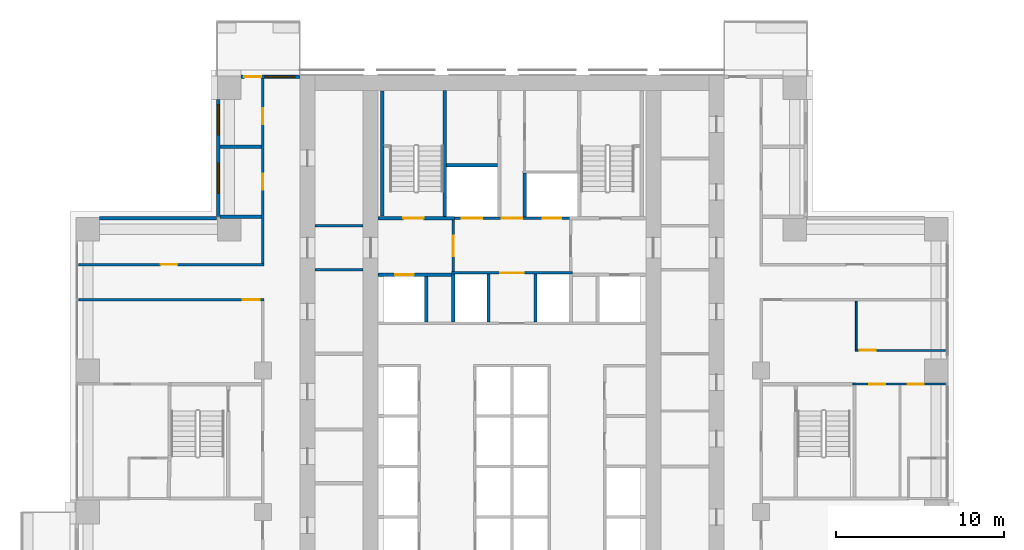
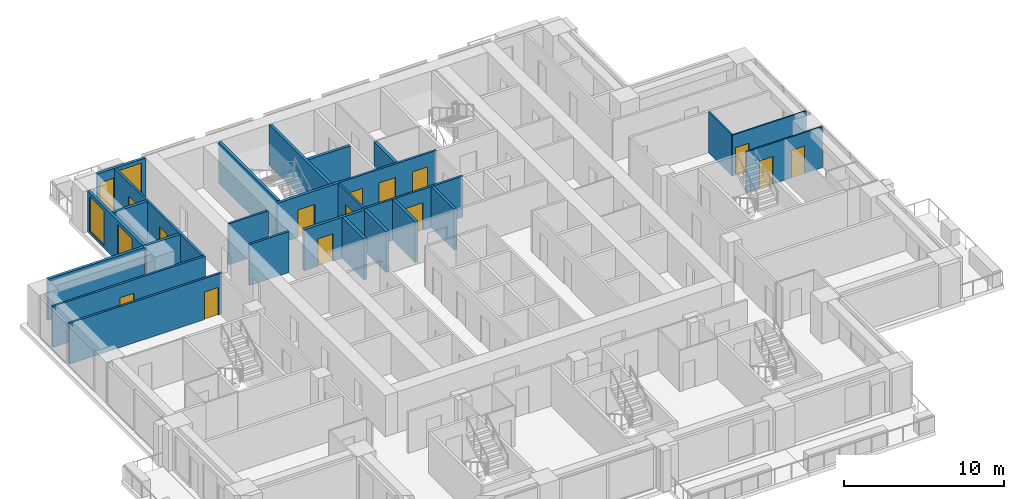
# One storey, part 12 of 17: 26 walls, 15 doors, 3 windows, 18 openings.
"""IFC4 building model written with IfcOpenShell, lengths in metres."""

from ifc_helpers import new_model, si_unit, direction, frame, frame_2d, origin, place, context, subcontext, project, spatial, rectangle, extrude, material, layer, layer_set, type_object, element, fill, save


model = new_model("IFC4")

# Units and contexts
model_context = context("Model", 3, precision=1e-05, world=origin(), true_north=direction((0.0, 1.0)))
body_context = subcontext(model_context, "Body", "Model", "MODEL_VIEW")
ifc_project = project(units=[si_unit("LENGTHUNIT", "METRE"), si_unit("AREAUNIT", "SQUARE_METRE"), si_unit("VOLUMEUNIT", "CUBIC_METRE"), si_unit("PLANEANGLEUNIT", "RADIAN"), si_unit("MASSUNIT", "GRAM", prefix="KILO")], contexts=[model_context])

# Site, building, storey
site_placement = place(None, origin())
site = spatial("IfcSite", under=ifc_project, at=site_placement, CompositionType="ELEMENT")
building_placement = place(site_placement, origin())
building = spatial("IfcBuilding", under=site, at=building_placement, Name="Vermilion Ogive Tower", CompositionType="ELEMENT")
storey_placement = place(building_placement, frame((0.0, 0.0, 65.550048828125)))
storey = spatial("IfcBuildingStorey", under=building, at=storey_placement, Name="L15", CompositionType="ELEMENT", Elevation=65.550048828125)

# Wall, openings, doors
ifc_material_1 = material(Name="Gypsum board partition on steel studs", Category="steel")
ifc_layer_1 = layer(ifc_material_1, 0.10009765625)
ifc_layer_set_1 = layer_set([ifc_layer_1], Name="Partition 100 inner")
wall_type_1 = type_object("IfcWallType", Name="Partition 100 inner", PredefinedType="PARTITIONING", material=ifc_layer_set_1)
wall_1_placement = place(storey_placement, frame((20.25, 3.39990234375, 0.0), z_axis=(0.0, 0.0, 1.0), x_axis=(1.0, 0.0, 0.0)))
wall_1 = element("IfcWall", 1, at=wall_1_placement, inside=storey, type_object=wall_type_1, Name="L15-W-W026", PredefinedType="PARTITIONING", context=body_context, shape_type="SweptSolid", body=[
    extrude(rectangle(XDim=5.5, YDim=0.10009765625, at=frame_2d((2.75, 0.0))), origin(), (0.0, 0.0, 1.0), 3.1298828125),
])
opening_1_placement = place(wall_1_placement, frame((3.27490234375, 0.0, 0.0)))
opening_1 = element("IfcOpeningElement", 2, at=opening_1_placement, cuts=wall_1, Name="Opening D1G5014", PredefinedType="OPENING", context=body_context, shape_type="SweptSolid", body=[
    extrude(rectangle(XDim=0.949951171875, YDim=2.10009765625, at=frame_2d((0.47509765625, 1.050048828125))), frame((0.0, 0.06005859375, 0.0), z_axis=(0.0, -1.0, 0.0), x_axis=(1.0, 0.0, 0.0)), (0.0, 0.0, 1.0), 0.1201171875),
])
opening_2_placement = place(wall_1_placement, frame((0.97509765625, 0.0, 0.0)))
opening_2 = element("IfcOpeningElement", 3, at=opening_2_placement, cuts=wall_1, Name="Opening D1G5017", PredefinedType="OPENING", context=body_context, shape_type="SweptSolid", body=[
    extrude(rectangle(XDim=0.949951171875, YDim=2.10009765625, at=frame_2d((0.47509765625, 1.050048828125))), frame((0.0, 0.06005859375, 0.0), z_axis=(0.0, -1.0, 0.0), x_axis=(1.0, 0.0, 0.0)), (0.0, 0.0, 1.0), 0.1201171875),
])
ifc_material_2 = material(Name="Timber door leaf", Category="wood")
door_type_1 = type_object("IfcDoorType", Name="Inner door 950 x 2100 FD30", OperationType="SINGLE_SWING_LEFT", PredefinedType="DOOR", material=ifc_material_2)
door_1_placement = place(opening_1_placement, origin())
door_1 = element("IfcDoor", 4, at=door_1_placement, inside=storey, type_object=door_type_1, Name="L15-D-D014", OperationType="SINGLE_SWING_RIGHT", OverallHeight=2.10009765625, OverallWidth=0.949951171875, PredefinedType="DOOR", context=body_context, shape_type="SweptSolid", body=[
    extrude(rectangle(XDim=0.949951171875, YDim=2.10009765625, at=frame_2d((0.47509765625, 1.050048828125))), frame((0.0, 0.02490234375, 0.0), z_axis=(0.0, -1.0, 0.0), x_axis=(1.0, 0.0, 0.0)), (0.0, 0.0, 1.0), 0.050048828125),
])
fill(opening_1, door_1)
door_2_placement = place(opening_2_placement, origin())
door_2 = element("IfcDoor", 5, at=door_2_placement, inside=storey, type_object=door_type_1, Name="L15-D-D017", OperationType="SINGLE_SWING_RIGHT", OverallHeight=2.10009765625, OverallWidth=0.949951171875, PredefinedType="DOOR", context=body_context, shape_type="SweptSolid", body=[
    extrude(rectangle(XDim=0.949951171875, YDim=2.10009765625, at=frame_2d((0.47509765625, 1.050048828125))), frame((0.0, 0.02490234375, 0.0), z_axis=(0.0, -1.0, 0.0), x_axis=(1.0, 0.0, 0.0)), (0.0, 0.0, 1.0), 0.050048828125),
])
fill(opening_2, door_2)

# Wall, opening, door
wall_2_placement = place(storey_placement, frame((20.39990234375, 5.39990234375, 0.0), z_axis=(0.0, 0.0, 1.0), x_axis=(1.0, 0.0, 0.0)))
wall_2 = element("IfcWall", 6, at=wall_2_placement, inside=storey, type_object=wall_type_1, Name="L15-W-W027", PredefinedType="PARTITIONING", context=body_context, shape_type="SweptSolid", body=[
    extrude(rectangle(XDim=5.35009765625, YDim=0.10009765625, at=frame_2d((2.675048828125, 0.0))), origin(), (0.0, 0.0, 1.0), 3.1298828125),
])
opening_3_placement = place(wall_2_placement, frame((0.25, 0.0, 0.0)))
opening_3 = element("IfcOpeningElement", 7, at=opening_3_placement, cuts=wall_2, Name="Opening D1G5015", PredefinedType="OPENING", context=body_context, shape_type="SweptSolid", body=[
    extrude(rectangle(XDim=0.949951171875, YDim=2.10009765625, at=frame_2d((0.47509765625, 1.050048828125))), frame((0.0, 0.06005859375, 0.0), z_axis=(0.0, -1.0, 0.0), x_axis=(1.0, 0.0, 0.0)), (0.0, 0.0, 1.0), 0.1201171875),
])
door_3_placement = place(opening_3_placement, origin())
door_3 = element("IfcDoor", 8, at=door_3_placement, inside=storey, type_object=door_type_1, Name="L15-D-D015", OperationType="SINGLE_SWING_LEFT", OverallHeight=2.10009765625, OverallWidth=0.949951171875, PredefinedType="DOOR", context=body_context, shape_type="SweptSolid", body=[
    extrude(rectangle(XDim=0.949951171875, YDim=2.10009765625, at=frame_2d((0.47509765625, 1.050048828125))), frame((0.0, 0.02490234375, 0.0), z_axis=(0.0, -1.0, 0.0), x_axis=(1.0, 0.0, 0.0)), (0.0, 0.0, 1.0), 0.050048828125),
])
fill(opening_3, door_3)

# Wall
wall_3_placement = place(storey_placement, frame((20.449951171875, 5.449951171875, 0.0), z_axis=(0.0, 0.0, 1.0), x_axis=(0.0, 1.0, 0.0)))
element("IfcWall", 9, at=wall_3_placement, inside=storey, type_object=wall_type_1, Name="L15-W-W058", PredefinedType="PARTITIONING", context=body_context, shape_type="SweptSolid", body=[
    extrude(rectangle(XDim=2.875, YDim=0.10009765625, at=frame_2d((1.4375, 0.0))), origin(), (0.0, 0.0, 1.0), 3.1298828125),
])

# Wall, opening, door
ifc_material_3 = material(Name="Gypsum board partition on steel studs", Category="steel")
ifc_layer_2 = layer(ifc_material_3, 0.14990234375)
ifc_layer_set_2 = layer_set([ifc_layer_2], Name="Partition 150 corridor")
wall_type_2 = type_object("IfcWallType", Name="Partition 150 corridor", PredefinedType="PARTITIONING", material=ifc_layer_set_2)
wall_4_placement = place(storey_placement, frame((-25.75, 8.39990234375, 0.0), z_axis=(0.0, 0.0, 1.0), x_axis=(1.0, 0.0, 0.0)))
wall_4 = element("IfcWall", 10, at=wall_4_placement, inside=storey, type_object=wall_type_2, Name="L15-W-W028", PredefinedType="PARTITIONING", context=body_context, shape_type="SweptSolid", body=[
    extrude(rectangle(XDim=11.02490234375, YDim=0.14990234375, at=frame_2d((5.512451171875, 0.0))), origin(), (0.0, 0.0, 1.0), 3.1298828125),
])
opening_4_placement = place(wall_4_placement, frame((9.75, 0.0, 0.0)))
opening_4 = element("IfcOpeningElement", 11, at=opening_4_placement, cuts=wall_4, Name="Opening D1G5003", PredefinedType="OPENING", context=body_context, shape_type="SweptSolid", body=[
    extrude(rectangle(XDim=1.0, YDim=2.10009765625, at=frame_2d((0.5, 1.050048828125))), frame((0.0, 0.0849609375, 0.0), z_axis=(0.0, -1.0, 0.0), x_axis=(1.0, 0.0, 0.0)), (0.0, 0.0, 1.0), 0.169921875),
])
ifc_material_4 = material(Name="Timber door leaf", Category="wood")
door_type_2 = type_object("IfcDoorType", Name="Unit door 1000 x 2100 FD30S", OperationType="SINGLE_SWING_LEFT", PredefinedType="DOOR", material=ifc_material_4)
door_4_placement = place(opening_4_placement, origin())
door_4 = element("IfcDoor", 12, at=door_4_placement, inside=storey, type_object=door_type_2, Name="L15-D-D003", OperationType="SINGLE_SWING_RIGHT", OverallHeight=2.10009765625, OverallWidth=1.0, PredefinedType="DOOR", context=body_context, shape_type="SweptSolid", body=[
    extrude(rectangle(XDim=1.0, YDim=2.10009765625, at=frame_2d((0.5, 1.050048828125))), frame((0.0, 0.02490234375, 0.0), z_axis=(0.0, -1.0, 0.0), x_axis=(1.0, 0.0, 0.0)), (0.0, 0.0, 1.0), 0.050048828125),
])
fill(opening_4, door_4)

wall_5_placement = place(storey_placement, frame((-25.75, 10.5, 0.0), z_axis=(0.0, 0.0, 1.0), x_axis=(1.0, 0.0, 0.0)))
wall_5 = element("IfcWall", 13, at=wall_5_placement, inside=storey, type_object=wall_type_2, Name="L15-W-W030", PredefinedType="PARTITIONING", context=body_context, shape_type="SweptSolid", body=[
    extrude(rectangle(XDim=11.02490234375, YDim=0.14990234375, at=frame_2d((5.512451171875, 0.0))), origin(), (0.0, 0.0, 1.0), 3.1298828125),
])
opening_5_placement = place(wall_5_placement, frame((4.875, 0.0, 0.0)))
opening_5 = element("IfcOpeningElement", 14, at=opening_5_placement, cuts=wall_5, Name="Opening D1G5033", PredefinedType="OPENING", context=body_context, shape_type="SweptSolid", body=[
    extrude(rectangle(XDim=1.0, YDim=2.10009765625, at=frame_2d((0.5, 1.050048828125))), frame((0.0, 0.0849609375, 0.0), z_axis=(0.0, -1.0, 0.0), x_axis=(1.0, 0.0, 0.0)), (0.0, 0.0, 1.0), 0.169921875),
])
door_5_placement = place(opening_5_placement, origin())
door_5 = element("IfcDoor", 15, at=door_5_placement, inside=storey, type_object=door_type_2, Name="L15-D-D033", OperationType="SINGLE_SWING_RIGHT", OverallHeight=2.10009765625, OverallWidth=1.0, PredefinedType="DOOR", context=body_context, shape_type="SweptSolid", body=[
    extrude(rectangle(XDim=1.0, YDim=2.10009765625, at=frame_2d((0.5, 1.050048828125))), frame((0.0, 0.02490234375, 0.0), z_axis=(0.0, -1.0, 0.0), x_axis=(1.0, 0.0, 0.0)), (0.0, 0.0, 1.0), 0.050048828125),
])
fill(opening_5, door_5)

# Wall, openings, doors
wall_6_placement = place(storey_placement, frame((-14.800048828125, 10.574951171875, 0.0), z_axis=(0.0, 0.0, 1.0), x_axis=(0.0, 1.0, 0.0)))
wall_6 = element("IfcWall", 16, at=wall_6_placement, inside=storey, type_object=wall_type_2, Name="L15-W-W043", PredefinedType="PARTITIONING", context=body_context, shape_type="SweptSolid", body=[
    extrude(rectangle(XDim=10.97509765625, YDim=0.14990234375, at=frame_2d((5.487548828125, 0.0))), origin(), (0.0, 0.0, 1.0), 3.1298828125),
])
opening_6_placement = place(wall_6_placement, frame((4.375, 0.0, 0.0)))
opening_6 = element("IfcOpeningElement", 17, at=opening_6_placement, cuts=wall_6, Name="Opening D1G5006", PredefinedType="OPENING", context=body_context, shape_type="SweptSolid", body=[
    extrude(rectangle(XDim=0.949951171875, YDim=2.10009765625, at=frame_2d((0.47509765625, 1.050048828125))), frame((0.0, 0.0849609375, 0.0), z_axis=(0.0, -1.0, 0.0), x_axis=(1.0, 0.0, 0.0)), (0.0, 0.0, 1.0), 0.169921875),
])
opening_7_placement = place(wall_6_placement, frame((8.275146484375, 0.0, 0.0)))
opening_7 = element("IfcOpeningElement", 18, at=opening_7_placement, cuts=wall_6, Name="Opening D1G5007", PredefinedType="OPENING", context=body_context, shape_type="SweptSolid", body=[
    extrude(rectangle(XDim=0.949951171875, YDim=2.10009765625, at=frame_2d((0.47509765625, 1.050048828125))), frame((0.0, 0.0849609375, 0.0), z_axis=(0.0, -1.0, 0.0), x_axis=(1.0, 0.0, 0.0)), (0.0, 0.0, 1.0), 0.169921875),
])
ifc_material_5 = material(Name="Timber door leaf", Category="wood")
door_type_3 = type_object("IfcDoorType", Name="Unit door 950 x 2100 FD30S", OperationType="SINGLE_SWING_LEFT", PredefinedType="DOOR", material=ifc_material_5)
door_6_placement = place(opening_6_placement, origin())
door_6 = element("IfcDoor", 19, at=door_6_placement, inside=storey, type_object=door_type_3, Name="L15-D-D006", OperationType="SINGLE_SWING_LEFT", OverallHeight=2.10009765625, OverallWidth=0.949951171875, PredefinedType="DOOR", context=body_context, shape_type="SweptSolid", body=[
    extrude(rectangle(XDim=0.949951171875, YDim=2.10009765625, at=frame_2d((0.47509765625, 1.050048828125))), frame((0.0, 0.02490234375, 0.0), z_axis=(0.0, -1.0, 0.0), x_axis=(1.0, 0.0, 0.0)), (0.0, 0.0, 1.0), 0.050048828125),
])
fill(opening_6, door_6)
door_7_placement = place(opening_7_placement, origin())
door_7 = element("IfcDoor", 20, at=door_7_placement, inside=storey, type_object=door_type_3, Name="L15-D-D007", OperationType="SINGLE_SWING_RIGHT", OverallHeight=2.10009765625, OverallWidth=0.949951171875, PredefinedType="DOOR", context=body_context, shape_type="SweptSolid", body=[
    extrude(rectangle(XDim=0.949951171875, YDim=2.10009765625, at=frame_2d((0.47509765625, 1.050048828125))), frame((0.0, 0.02490234375, 0.0), z_axis=(0.0, -1.0, 0.0), x_axis=(1.0, 0.0, 0.0)), (0.0, 0.0, 1.0), 0.050048828125),
])
fill(opening_7, door_7)

# Wall, opening, door
wall_7_placement = place(storey_placement, frame((-3.60009765625, 10.0, 0.0), z_axis=(0.0, 0.0, 1.0), x_axis=(1.0, 0.0, 0.0)))
wall_7 = element("IfcWall", 21, at=wall_7_placement, inside=storey, type_object=wall_type_2, Name="L15-CK-W-W016", PredefinedType="PARTITIONING", context=body_context, shape_type="SweptSolid", body=[
    extrude(rectangle(XDim=7.2001953125, YDim=0.14990234375, at=frame_2d((3.60009765625, 0.0))), origin(), (0.0, 0.0, 1.0), 3.1298828125),
])
opening_8_placement = place(wall_7_placement, frame((2.900146484375, 0.0, 0.0)))
opening_8 = element("IfcOpeningElement", 22, at=opening_8_placement, cuts=wall_7, Name="Opening DAA094", PredefinedType="OPENING", context=body_context, shape_type="SweptSolid", body=[
    extrude(rectangle(XDim=1.39990234375, YDim=2.10009765625, at=frame_2d((0.699951171875, 1.050048828125))), frame((0.0, 0.0849609375, 0.0), z_axis=(0.0, -1.0, 0.0), x_axis=(1.0, 0.0, 0.0)), (0.0, 0.0, 1.0), 0.169921875),
])
ifc_material_6 = material(Name="Timber door leaf", Category="wood")
door_type_4 = type_object("IfcDoorType", Name="Lobby door 1400 x 2100 FD60S", OperationType="SINGLE_SWING_LEFT", PredefinedType="DOOR", material=ifc_material_6)
door_8_placement = place(opening_8_placement, origin())
door_8 = element("IfcDoor", 23, at=door_8_placement, inside=storey, type_object=door_type_4, Name="L15-CK-D-D016", OperationType="SINGLE_SWING_RIGHT", OverallHeight=2.10009765625, OverallWidth=1.39990234375, PredefinedType="DOOR", context=body_context, shape_type="SweptSolid", body=[
    extrude(rectangle(XDim=1.39990234375, YDim=2.10009765625, at=frame_2d((0.699951171875, 1.050048828125))), frame((0.0, 0.02490234375, 0.0), z_axis=(0.0, -1.0, 0.0), x_axis=(1.0, 0.0, 0.0)), (0.0, 0.0, 1.0), 0.050048828125),
])
fill(opening_8, door_8)

# Wall, openings, doors
wall_8_placement = place(storey_placement, frame((-3.574951171875, 13.25, 0.0), z_axis=(0.0, 0.0, 1.0), x_axis=(1.0, 0.0, 0.0)))
wall_8 = element("IfcWall", 24, at=wall_8_placement, inside=storey, type_object=wall_type_2, Name="L15-CK-W-W018", PredefinedType="PARTITIONING", context=body_context, shape_type="SweptSolid", body=[
    extrude(rectangle(XDim=7.14990234375, YDim=0.14990234375, at=frame_2d((3.574951171875, 0.0))), origin(), (0.0, 0.0, 1.0), 3.1298828125),
])
opening_9_placement = place(wall_8_placement, frame((0.599853515625, 0.0, 0.0)))
opening_9 = element("IfcOpeningElement", 25, at=opening_9_placement, cuts=wall_8, Name="Opening DAA113", PredefinedType="OPENING", context=body_context, shape_type="SweptSolid", body=[
    extrude(rectangle(XDim=1.199951171875, YDim=2.10009765625, at=frame_2d((0.60009765625, 1.050048828125))), frame((0.0, 0.0849609375, 0.0), z_axis=(0.0, -1.0, 0.0), x_axis=(1.0, 0.0, 0.0)), (0.0, 0.0, 1.0), 0.169921875),
])
opening_10_placement = place(wall_8_placement, frame((5.39990234375, 0.0, 0.0)))
opening_10 = element("IfcOpeningElement", 26, at=opening_10_placement, cuts=wall_8, Name="Opening DAA104", PredefinedType="OPENING", context=body_context, shape_type="SweptSolid", body=[
    extrude(rectangle(XDim=1.10009765625, YDim=2.10009765625, at=frame_2d((0.550048828125, 1.050048828125))), frame((0.0, 0.0849609375, 0.0), z_axis=(0.0, -1.0, 0.0), x_axis=(1.0, 0.0, 0.0)), (0.0, 0.0, 1.0), 0.169921875),
])
opening_11_placement = place(wall_8_placement, frame((2.974853515625, 0.0, 0.0)))
opening_11 = element("IfcOpeningElement", 27, at=opening_11_placement, cuts=wall_8, Name="Opening DAA095", PredefinedType="OPENING", context=body_context, shape_type="SweptSolid", body=[
    extrude(rectangle(XDim=1.199951171875, YDim=2.10009765625, at=frame_2d((0.60009765625, 1.050048828125))), frame((0.0, 0.0849609375, 0.0), z_axis=(0.0, -1.0, 0.0), x_axis=(1.0, 0.0, 0.0)), (0.0, 0.0, 1.0), 0.169921875),
])
ifc_material_7 = material(Name="Stainless steel", Category="steel")
door_type_5 = type_object("IfcDoorType", Name="Lift landing door 1100 x 2100", OperationType="SLIDING_TO_LEFT", PredefinedType="DOOR", material=ifc_material_7)
door_9_placement = place(opening_10_placement, origin())
door_9 = element("IfcDoor", 28, at=door_9_placement, inside=storey, type_object=door_type_5, Name="L15-CK-D-D018", OperationType="SLIDING_TO_LEFT", OverallHeight=2.10009765625, OverallWidth=1.10009765625, PredefinedType="DOOR", context=body_context, shape_type="SweptSolid", body=[
    extrude(rectangle(XDim=1.10009765625, YDim=2.10009765625, at=frame_2d((0.550048828125, 1.050048828125))), frame((0.0, 0.02490234375, 0.0), z_axis=(0.0, -1.0, 0.0), x_axis=(1.0, 0.0, 0.0)), (0.0, 0.0, 1.0), 0.050048828125),
])
fill(opening_10, door_9)
ifc_material_8 = material(Name="Stainless steel", Category="steel")
door_type_6 = type_object("IfcDoorType", Name="Lift landing door 1200 x 2100", OperationType="SLIDING_TO_LEFT", PredefinedType="DOOR", material=ifc_material_8)
door_10_placement = place(opening_9_placement, origin())
door_10 = element("IfcDoor", 29, at=door_10_placement, inside=storey, type_object=door_type_6, Name="L15-CK-D-D017", OperationType="SLIDING_TO_RIGHT", OverallHeight=2.10009765625, OverallWidth=1.199951171875, PredefinedType="DOOR", context=body_context, shape_type="SweptSolid", body=[
    extrude(rectangle(XDim=1.199951171875, YDim=2.10009765625, at=frame_2d((0.60009765625, 1.050048828125))), frame((0.0, 0.02490234375, 0.0), z_axis=(0.0, -1.0, 0.0), x_axis=(1.0, 0.0, 0.0)), (0.0, 0.0, 1.0), 0.050048828125),
])
fill(opening_9, door_10)
ifc_material_9 = material(Name="Timber door leaf", Category="wood")
door_type_7 = type_object("IfcDoorType", Name="Service door 1200 x 2100 FD60", OperationType="SINGLE_SWING_LEFT", PredefinedType="DOOR", material=ifc_material_9)
door_11_placement = place(opening_11_placement, origin())
door_11 = element("IfcDoor", 30, at=door_11_placement, inside=storey, type_object=door_type_7, Name="L15-CK-D-D019", OperationType="SINGLE_SWING_RIGHT", OverallHeight=2.10009765625, OverallWidth=1.199951171875, PredefinedType="DOOR", context=body_context, shape_type="SweptSolid", body=[
    extrude(rectangle(XDim=1.199951171875, YDim=2.10009765625, at=frame_2d((0.60009765625, 1.050048828125))), frame((0.0, 0.02490234375, 0.0), z_axis=(0.0, -1.0, 0.0), x_axis=(1.0, 0.0, 0.0)), (0.0, 0.0, 1.0), 0.050048828125),
])
fill(opening_11, door_11)

# Wall, opening, door
wall_9_placement = place(storey_placement, frame((-3.5, 10.074951171875, 0.0), z_axis=(0.0, 0.0, 1.0), x_axis=(0.0, 1.0, 0.0)))
wall_9 = element("IfcWall", 31, at=wall_9_placement, inside=storey, type_object=wall_type_2, Name="L15-CK-W-W026", PredefinedType="PARTITIONING", context=body_context, shape_type="SweptSolid", body=[
    extrude(rectangle(XDim=3.074951171875, YDim=0.14990234375, at=frame_2d((1.53759765625, 0.0))), origin(), (0.0, 0.0, 1.0), 3.1298828125),
])
opening_12_placement = place(wall_9_placement, frame((0.925048828125, 0.0, 0.0)))
opening_12 = element("IfcOpeningElement", 32, at=opening_12_placement, cuts=wall_9, Name="Opening DAA091", PredefinedType="OPENING", context=body_context, shape_type="SweptSolid", body=[
    extrude(rectangle(XDim=1.199951171875, YDim=2.10009765625, at=frame_2d((0.60009765625, 1.050048828125))), frame((0.0, 0.0849609375, 0.0), z_axis=(0.0, -1.0, 0.0), x_axis=(1.0, 0.0, 0.0)), (0.0, 0.0, 1.0), 0.169921875),
])
ifc_material_10 = material(Name="Timber door leaf", Category="wood")
door_type_8 = type_object("IfcDoorType", Name="Lobby door 1200 x 2100 FD60S", OperationType="SINGLE_SWING_LEFT", PredefinedType="DOOR", material=ifc_material_10)
door_12_placement = place(opening_12_placement, origin())
door_12 = element("IfcDoor", 33, at=door_12_placement, inside=storey, type_object=door_type_8, Name="L15-CK-D-D022", OperationType="SINGLE_SWING_RIGHT", OverallHeight=2.10009765625, OverallWidth=1.199951171875, PredefinedType="DOOR", context=body_context, shape_type="SweptSolid", body=[
    extrude(rectangle(XDim=1.199951171875, YDim=2.10009765625, at=frame_2d((0.60009765625, 1.050048828125))), frame((0.0, 0.02490234375, 0.0), z_axis=(0.0, -1.0, 0.0), x_axis=(1.0, 0.0, 0.0)), (0.0, 0.0, 1.0), 0.050048828125),
])
fill(opening_12, door_12)

# Walls
for number, where, z_axis, x_axis, name in (
    (34, (-11.698974609375, 10.199951171875, 0.0), (0.0, 0.0, 1.0), (1.0, 0.0, 0.0), "L15-CKW-W-W004"),
    (35, (-11.698974609375, 12.800048828125, 0.0), (0.0, 0.0, 1.0), (1.0, 0.0, 0.0), "L15-CKW-W-W005"),
):
    element("IfcWall", number, at=place(storey_placement, frame(where, z_axis=z_axis, x_axis=x_axis)), inside=storey, type_object=wall_type_2, Name=name, PredefinedType="PARTITIONING", context=body_context, shape_type="SweptSolid", body=[
        extrude(rectangle(XDim=2.847900390625, YDim=0.14990234375, at=frame_2d((1.423828125, 0.0))), origin(), (0.0, 0.0, 1.0), 3.1298828125),
    ])
ifc_material_11 = material(Name="Gypsum board partition on steel studs", Category="steel")
ifc_layer_3 = layer(ifc_material_11, 0.199951171875)
ifc_layer_set_3 = layer_set([ifc_layer_3], Name="Partition 200 party")
wall_type_3 = type_object("IfcWallType", Name="Partition 200 party", PredefinedType="PARTITIONING", material=ifc_layer_set_3)
for number, where, z_axis, x_axis, name in (
    (36, (-17.35009765625, 13.35009765625, 0.0), (0.0, 0.0, 1.0), (1.0, 0.0, 0.0), "L15-W-W032"),
    (37, (-17.35009765625, 17.5, 0.0), (0.0, 0.0, 1.0), (1.0, 0.0, 0.0), "L15-W-W034"),
):
    element("IfcWall", number, at=place(storey_placement, frame(where, z_axis=z_axis, x_axis=x_axis)), inside=storey, type_object=wall_type_3, Name=name, PredefinedType="PARTITIONING", context=body_context, shape_type="SweptSolid", body=[
        extrude(rectangle(XDim=2.47509765625, YDim=0.199951171875, at=frame_2d((1.237548828125, 0.0))), origin(), (0.0, 0.0, 1.0), 3.1298828125),
    ])

# Wall, opening, door
wall_10_placement = place(storey_placement, frame((-7.948974609375, 9.89990234375, 0.0), z_axis=(0.0, 0.0, 1.0), x_axis=(1.0, 0.0, 0.0)))
wall_10 = element("IfcWall", 38, at=wall_10_placement, inside=storey, type_object=wall_type_3, Name="L15-CK-W-W014", PredefinedType="PARTITIONING", context=body_context, shape_type="SweptSolid", body=[
    extrude(rectangle(XDim=4.348876953125, YDim=0.199951171875, at=frame_2d((2.17431640625, 0.0))), origin(), (0.0, 0.0, 1.0), 3.1298828125),
])
opening_13_placement = place(wall_10_placement, frame((0.9990234375, 0.0, 0.0)))
opening_13 = element("IfcOpeningElement", 39, at=opening_13_placement, cuts=wall_10, Name="Opening DAA112", PredefinedType="OPENING", context=body_context, shape_type="SweptSolid", body=[
    extrude(rectangle(XDim=1.10009765625, YDim=2.10009765625, at=frame_2d((0.550048828125, 1.050048828125))), frame((0.0, 0.10986328125, 0.0), z_axis=(0.0, -1.0, 0.0), x_axis=(1.0, 0.0, 0.0)), (0.0, 0.0, 1.0), 0.219970703125),
])
door_13_placement = place(opening_13_placement, origin())
door_13 = element("IfcDoor", 40, at=door_13_placement, inside=storey, type_object=door_type_5, Name="L15-CK-D-D012", OperationType="SLIDING_TO_RIGHT", OverallHeight=2.10009765625, OverallWidth=1.10009765625, PredefinedType="DOOR", context=body_context, shape_type="SweptSolid", body=[
    extrude(rectangle(XDim=1.10009765625, YDim=2.10009765625, at=frame_2d((0.550048828125, 1.050048828125))), frame((0.0, 0.02490234375, 0.0), z_axis=(0.0, -1.0, 0.0), x_axis=(1.0, 0.0, 0.0)), (0.0, 0.0, 1.0), 0.050048828125),
])
fill(opening_13, door_13)

# Walls
wall_11_placement = place(storey_placement, frame((-3.89990234375, 16.39990234375, 0.0), z_axis=(0.0, 0.0, 1.0), x_axis=(1.0, 0.0, 0.0)))
element("IfcWall", 41, at=wall_11_placement, inside=storey, type_object=wall_type_3, Name="L15-CK-W-W021", PredefinedType="PARTITIONING", context=body_context, shape_type="SweptSolid", body=[
    extrude(rectangle(XDim=3.0498046875, YDim=0.199951171875, at=frame_2d((1.52490234375, 0.0))), origin(), (0.0, 0.0, 1.0), 3.1298828125),
])
wall_12_placement = place(storey_placement, frame((-5.10009765625, 7.074951171875, 0.0), z_axis=(0.0, 0.0, 1.0), x_axis=(0.0, 1.0, 0.0)))
element("IfcWall", 42, at=wall_12_placement, inside=storey, type_object=wall_type_3, Name="L15-CK-W-W023", PredefinedType="PARTITIONING", context=body_context, shape_type="SweptSolid", body=[
    extrude(rectangle(XDim=2.72509765625, YDim=0.199951171875, at=frame_2d((1.362548828125, 0.0))), origin(), (0.0, 0.0, 1.0), 3.1298828125),
])
for number, where, z_axis, x_axis, name in (
    (43, (-3.5, 7.074951171875, 0.0), (0.0, 0.0, 1.0), (0.0, 1.0, 0.0), "L15-CK-W-W025"),
    (44, (-1.39990234375, 7.074951171875, 0.0), (0.0, 0.0, 1.0), (0.0, 1.0, 0.0), "L15-CK-W-W028"),
):
    element("IfcWall", number, at=place(storey_placement, frame(where, z_axis=z_axis, x_axis=x_axis)), inside=storey, type_object=wall_type_3, Name=name, PredefinedType="PARTITIONING", context=body_context, shape_type="SweptSolid", body=[
        extrude(rectangle(XDim=2.85009765625, YDim=0.199951171875, at=frame_2d((1.425048828125, 0.0))), origin(), (0.0, 0.0, 1.0), 3.1298828125),
    ])
wall_13_placement = place(storey_placement, frame((0.75, 13.324951171875, 0.0), z_axis=(0.0, 0.0, 1.0), x_axis=(0.0, 1.0, 0.0)))
element("IfcWall", 45, at=wall_13_placement, inside=storey, type_object=wall_type_3, Name="L15-CK-W-W031", PredefinedType="PARTITIONING", context=body_context, shape_type="SweptSolid", body=[
    extrude(rectangle(XDim=2.625, YDim=0.199951171875, at=frame_2d((1.3125, 0.0))), origin(), (0.0, 0.0, 1.0), 3.1298828125),
])
wall_14_placement = place(storey_placement, frame((1.39990234375, 7.074951171875, 0.0), z_axis=(0.0, 0.0, 1.0), x_axis=(0.0, 1.0, 0.0)))
element("IfcWall", 46, at=wall_14_placement, inside=storey, type_object=wall_type_3, Name="L15-CK-W-W033", PredefinedType="PARTITIONING", context=body_context, shape_type="SweptSolid", body=[
    extrude(rectangle(XDim=2.85009765625, YDim=0.199951171875, at=frame_2d((1.425048828125, 0.0))), origin(), (0.0, 0.0, 1.0), 3.1298828125),
])

# Wall, opening, door
ifc_material_12 = material(Name="Concrete B60", Category="concrete")
ifc_layer_4 = layer(ifc_material_12, 0.199951171875)
ifc_layer_set_4 = layer_set([ifc_layer_4], Name="Stair shaft wall 200 Concrete B60")
wall_type_4 = type_object("IfcWallType", Name="Stair shaft wall 200 Concrete B60", PredefinedType="SOLIDWALL", material=ifc_layer_set_4)
wall_15_placement = place(storey_placement, frame((-7.948974609375, 13.25, 0.0), z_axis=(0.0, 0.0, 1.0), x_axis=(1.0, 0.0, 0.0)))
wall_15 = element("IfcWall", 47, at=wall_15_placement, inside=storey, type_object=wall_type_4, Name="L15-CK-W-W017", PredefinedType="SOLIDWALL", context=body_context, shape_type="SweptSolid", body=[
    extrude(rectangle(XDim=4.52392578125, YDim=0.199951171875, at=frame_2d((2.261962890625, 0.0))), origin(), (0.0, 0.0, 1.0), 3.1298828125),
])
opening_14_placement = place(wall_15_placement, frame((1.4990234375, 0.0, 0.0)))
opening_14 = element("IfcOpeningElement", 48, at=opening_14_placement, cuts=wall_15, Name="Opening DAA100", PredefinedType="OPENING", context=body_context, shape_type="SweptSolid", body=[
    extrude(rectangle(XDim=1.199951171875, YDim=2.10009765625, at=frame_2d((0.60009765625, 1.050048828125))), frame((0.0, 0.10986328125, 0.0), z_axis=(0.0, -1.0, 0.0), x_axis=(1.0, 0.0, 0.0)), (0.0, 0.0, 1.0), 0.219970703125),
])
ifc_material_13 = material(Name="Timber door leaf", Category="wood")
door_type_9 = type_object("IfcDoorType", Name="Stair door 1200 x 2100 FD60S", OperationType="SINGLE_SWING_LEFT", PredefinedType="DOOR", material=ifc_material_13)
door_14_placement = place(opening_14_placement, origin())
door_14 = element("IfcDoor", 49, at=door_14_placement, inside=storey, type_object=door_type_9, Name="L15-CK-D-D011", OperationType="SINGLE_SWING_LEFT", OverallHeight=2.10009765625, OverallWidth=1.199951171875, PredefinedType="DOOR", context=body_context, shape_type="SweptSolid", body=[
    extrude(rectangle(XDim=1.199951171875, YDim=2.10009765625, at=frame_2d((0.60009765625, 1.050048828125))), frame((0.0, 0.02490234375, 0.0), z_axis=(0.0, -1.0, 0.0), x_axis=(1.0, 0.0, 0.0)), (0.0, 0.0, 1.0), 0.050048828125),
])
fill(opening_14, door_14)

# Walls
wall_16_placement = place(storey_placement, frame((-4.0, 13.35009765625, 0.0), z_axis=(0.0, 0.0, 1.0), x_axis=(0.0, 1.0, 0.0)))
element("IfcWall", 50, at=wall_16_placement, inside=storey, type_object=wall_type_4, Name="L15-CK-W-W024", PredefinedType="SOLIDWALL", context=body_context, shape_type="SweptSolid", body=[
    extrude(rectangle(XDim=7.4990234375, YDim=0.199951171875, at=frame_2d((3.74951171875, 0.0))), origin(), (0.0, 0.0, 1.0), 3.1298828125),
])
wall_17_placement = place(storey_placement, frame((-7.699951171875, 13.39990234375, 0.0), z_axis=(0.0, 0.0, 1.0), x_axis=(0.0, 1.0, 0.0)))
element("IfcWall", 51, at=wall_17_placement, inside=storey, type_object=wall_type_4, Name="L15-SW-R021-W1", PredefinedType="SOLIDWALL", context=body_context, shape_type="SweptSolid", body=[
    extrude(rectangle(XDim=7.400146484375, YDim=0.199951171875, at=frame_2d((3.7001953125, 0.0))), origin(), (0.0, 0.0, 1.0), 3.1298828125),
])

# Wall, openings, door, window
ifc_material_14 = material(Name="Aluminium window wall framing", Category="aluminium")
ifc_layer_5 = layer(ifc_material_14, 0.199951171875)
ifc_layer_set_5 = layer_set([ifc_layer_5], Name="Window wall")
wall_type_5 = type_object("IfcWallType", Name="Window wall", PredefinedType="STANDARD", material=ifc_layer_set_5)
wall_18_placement = place(storey_placement, frame((-12.60009765625, 21.64990234375, 0.0), z_axis=(0.0, 0.0, 1.0), x_axis=(-1.0, 0.0, 0.0)))
wall_18 = element("IfcWall", 52, at=wall_18_placement, inside=storey, type_object=wall_type_5, Name="Window wall N21", PredefinedType="STANDARD", context=body_context, shape_type="SweptSolid", body=[
    extrude(rectangle(XDim=3.5, YDim=0.199951171875, at=frame_2d((1.75, 0.0))), origin(), (0.0, 0.0, 1.0), 3.1298828125),
])
opening_15_placement = place(wall_18_placement, frame((0.300048828125, 0.0, 0.199951171875)))
opening_15 = element("IfcOpeningElement", 53, at=opening_15_placement, cuts=wall_18, Name="Opening W1-N296", PredefinedType="OPENING", context=body_context, shape_type="SweptSolid", body=[
    extrude(rectangle(XDim=1.800048828125, YDim=2.64990234375, at=frame_2d((0.89990234375, 1.324951171875))), frame((0.0, 0.10986328125, 0.0), z_axis=(0.0, -1.0, 0.0), x_axis=(1.0, 0.0, 0.0)), (0.0, 0.0, 1.0), 0.219970703125),
])
opening_16_placement = place(wall_18_placement, frame((2.300048828125, 0.0, 0.0)))
opening_16 = element("IfcOpeningElement", 54, at=opening_16_placement, cuts=wall_18, Name="Opening D1-N296", PredefinedType="OPENING", context=body_context, shape_type="SweptSolid", body=[
    extrude(rectangle(XDim=1.0, YDim=2.39990234375, at=frame_2d((0.5, 1.199951171875))), frame((0.0, 0.10986328125, 0.0), z_axis=(0.0, -1.0, 0.0), x_axis=(1.0, 0.0, 0.0)), (0.0, 0.0, 1.0), 0.219970703125),
])
ifc_material_15 = material(Name="Aluminium framed glazed door", Category="aluminium")
door_type_10 = type_object("IfcDoorType", Name="Balcony door D1", OperationType="SINGLE_SWING_LEFT", PredefinedType="DOOR", material=ifc_material_15)
door_15_placement = place(opening_16_placement, origin())
door_15 = element("IfcDoor", 55, at=door_15_placement, inside=storey, type_object=door_type_10, Name="Balcony door N296", OperationType="SINGLE_SWING_LEFT", OverallHeight=2.39990234375, OverallWidth=1.0, PredefinedType="DOOR", context=body_context, shape_type="SweptSolid", body=[
    extrude(rectangle(XDim=1.0, YDim=2.39990234375, at=frame_2d((0.5, 1.199951171875))), frame((0.0, 0.02490234375, 0.0), z_axis=(0.0, -1.0, 0.0), x_axis=(1.0, 0.0, 0.0)), (0.0, 0.0, 1.0), 0.050048828125),
])
fill(opening_16, door_15)
ifc_material_16 = material(Name="Aluminium framed double glazing", Category="aluminium")
window_type = type_object("IfcWindowType", Name="Guest window W1", PartitioningType="SINGLE_PANEL", PredefinedType="WINDOW", material=ifc_material_16)
window_1_placement = place(opening_15_placement, origin())
window_1 = element("IfcWindow", 56, at=window_1_placement, inside=storey, type_object=window_type, Name="Window N296", OverallHeight=2.64990234375, OverallWidth=1.800048828125, PartitioningType="SINGLE_PANEL", PredefinedType="WINDOW", context=body_context, shape_type="SweptSolid", body=[
    extrude(rectangle(XDim=1.800048828125, YDim=2.64990234375, at=frame_2d((0.89990234375, 1.324951171875))), frame((0.0, 0.030029296875, 0.0), z_axis=(0.0, -1.0, 0.0), x_axis=(1.0, 0.0, 0.0)), (0.0, 0.0, 1.0), 0.06005859375),
])
fill(opening_15, window_1)

# Wall, openings, windows
wall_19_placement = place(storey_placement, frame((-17.449951171875, 20.300048828125, 0.0), z_axis=(0.0, 0.0, 1.0), x_axis=(0.0, -1.0, 0.0)))
wall_19 = element("IfcWall", 57, at=wall_19_placement, inside=storey, type_object=wall_type_5, Name="Window wall X51", PredefinedType="STANDARD", context=body_context, shape_type="SweptSolid", body=[
    extrude(rectangle(XDim=6.949951171875, YDim=0.199951171875, at=frame_2d((3.47509765625, 0.0))), origin(), (0.0, 0.0, 1.0), 3.1298828125),
])
opening_17_placement = place(wall_19_placement, frame((3.77490234375, 0.0, 0.199951171875)))
opening_17 = element("IfcOpeningElement", 58, at=opening_17_placement, cuts=wall_19, Name="Opening W1-X503", PredefinedType="OPENING", context=body_context, shape_type="SweptSolid", body=[
    extrude(rectangle(XDim=1.800048828125, YDim=2.64990234375, at=frame_2d((0.89990234375, 1.324951171875))), frame((0.0, 0.10986328125, 0.0), z_axis=(0.0, -1.0, 0.0), x_axis=(1.0, 0.0, 0.0)), (0.0, 0.0, 1.0), 0.219970703125),
])
opening_18_placement = place(wall_19_placement, frame((0.300048828125, 0.0, 0.199951171875)))
opening_18 = element("IfcOpeningElement", 59, at=opening_18_placement, cuts=wall_19, Name="Opening W1-X504", PredefinedType="OPENING", context=body_context, shape_type="SweptSolid", body=[
    extrude(rectangle(XDim=1.800048828125, YDim=2.64990234375, at=frame_2d((0.89990234375, 1.324951171875))), frame((0.0, 0.10986328125, 0.0), z_axis=(0.0, -1.0, 0.0), x_axis=(1.0, 0.0, 0.0)), (0.0, 0.0, 1.0), 0.219970703125),
])
window_2_placement = place(opening_17_placement, origin())
window_2 = element("IfcWindow", 60, at=window_2_placement, inside=storey, type_object=window_type, Name="Window X503", OverallHeight=2.64990234375, OverallWidth=1.800048828125, PartitioningType="SINGLE_PANEL", PredefinedType="WINDOW", context=body_context, shape_type="SweptSolid", body=[
    extrude(rectangle(XDim=1.800048828125, YDim=2.64990234375, at=frame_2d((0.89990234375, 1.324951171875))), frame((0.0, 0.030029296875, 0.0), z_axis=(0.0, -1.0, 0.0), x_axis=(1.0, 0.0, 0.0)), (0.0, 0.0, 1.0), 0.06005859375),
])
fill(opening_17, window_2)
window_3_placement = place(opening_18_placement, origin())
window_3 = element("IfcWindow", 61, at=window_3_placement, inside=storey, type_object=window_type, Name="Window X504", OverallHeight=2.64990234375, OverallWidth=1.800048828125, PartitioningType="SINGLE_PANEL", PredefinedType="WINDOW", context=body_context, shape_type="SweptSolid", body=[
    extrude(rectangle(XDim=1.800048828125, YDim=2.64990234375, at=frame_2d((0.89990234375, 1.324951171875))), frame((0.0, 0.030029296875, 0.0), z_axis=(0.0, -1.0, 0.0), x_axis=(1.0, 0.0, 0.0)), (0.0, 0.0, 1.0), 0.06005859375),
])
fill(opening_18, window_3)

# Wall
wall_20_placement = place(storey_placement, frame((-17.550048828125, 13.25, 0.0), z_axis=(0.0, 0.0, 1.0), x_axis=(-1.0, 0.0, 0.0)))
element("IfcWall", 62, at=wall_20_placement, inside=storey, type_object=wall_type_5, Name="Window wall X61", PredefinedType="STANDARD", context=body_context, shape_type="SweptSolid", body=[
    extrude(rectangle(XDim=6.949951171875, YDim=0.199951171875, at=frame_2d((3.47509765625, 0.0))), origin(), (0.0, 0.0, 1.0), 3.1298828125),
])

save(model, "model.ifc")
